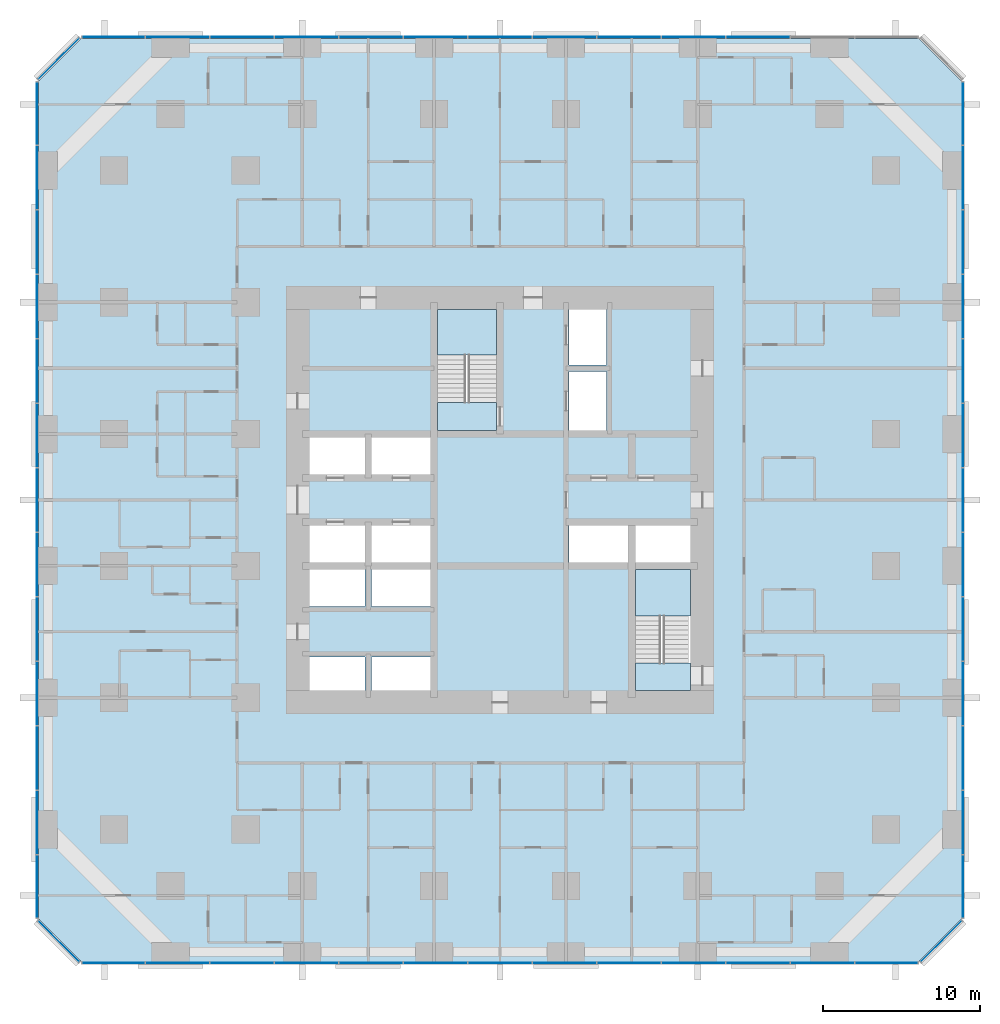
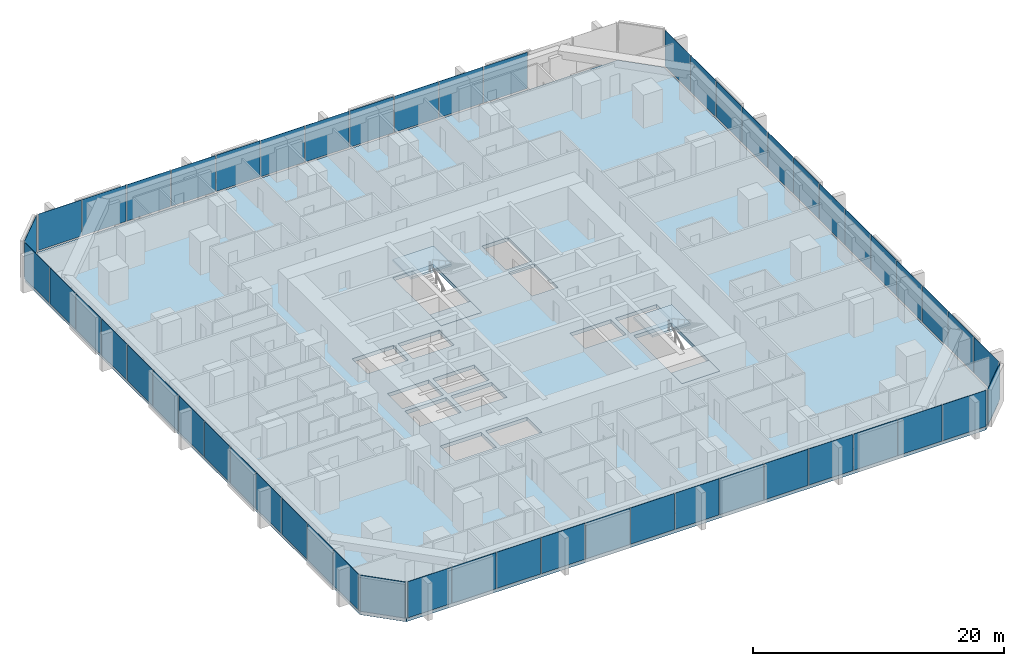
# One storey, part 9 of 17: 53 plates, 5 slabs, 9 elements without a shape of their own.
"""IFC4 building model written with IfcOpenShell, lengths in metres."""

from ifc_helpers import new_model, si_unit, direction, frame, origin, origin_2d, place, context, subcontext, project, spatial, polyline, rectangle, outline, extrude, material, layer, layer_set, type_object, element, aggregate, save


model = new_model("IFC4")

# Units and contexts
model_context = context("Model", 3, precision=1e-05, world=origin(), true_north=direction((0.0, 1.0)))
body_context = subcontext(model_context, "Body", "Model", "MODEL_VIEW")
ifc_project = project(units=[si_unit("LENGTHUNIT", "METRE"), si_unit("AREAUNIT", "SQUARE_METRE"), si_unit("VOLUMEUNIT", "CUBIC_METRE"), si_unit("PLANEANGLEUNIT", "RADIAN"), si_unit("MASSUNIT", "GRAM", prefix="KILO")], contexts=[model_context])

# Site, building, storey
site_placement = place(None, origin())
site = spatial("IfcSite", under=ifc_project, at=site_placement, CompositionType="ELEMENT")
building_placement = place(site_placement, origin())
building = spatial("IfcBuilding", under=site, at=building_placement, Name="Dunama Terrace Hotel", CompositionType="ELEMENT")
storey_placement = place(building_placement, frame((0.0, 0.0, 52.199951171875)))
storey = spatial("IfcBuildingStorey", under=building, at=storey_placement, Name="L12", CompositionType="ELEMENT", Elevation=52.199951171875)

# Curtain wall, plates
ifc_material_1 = material(Name="Aluminium curtain wall system", Category="aluminium")
curtain_wall_type = type_object("IfcCurtainWallType", Name="Unitised fritted glass wall CW-A", PredefinedType="NOTDEFINED", material=ifc_material_1)
curtain_wall_1_placement = place(storey_placement, origin())
curtain_wall_1 = element("IfcCurtainWall", 1, at=curtain_wall_1_placement, inside=storey, type_object=curtain_wall_type, Name="Unitised fritted glass wall CW-A L12", PredefinedType="NOTDEFINED")
ifc_material_2 = material(Name="Laminated glass", Category="glass")
ifc_layer_1 = layer(ifc_material_2, 0.030029296875)
ifc_layer_set_1 = layer_set([ifc_layer_1], Name="CWA clear glass panel")
plate_type_1 = type_object("IfcPlateType", Name="CWA clear glass panel", PredefinedType="CURTAIN_PANEL", material=ifc_layer_set_1)
plate_1_placement = place(storey_placement, frame((12.968994140625, -0.10009765625, 0.0751953125), z_axis=(0.0, 0.0, 1.0), x_axis=(1.0, 0.0, 0.0)))
plate_1 = element("IfcPlate", 2, at=plate_1_placement, type_object=plate_type_1, Name="CWA clear glass panel", PredefinedType="CURTAIN_PANEL", context=body_context, shape_type="SweptSolid", body=[
    extrude(rectangle(XDim=4.042724609375, YDim=0.030029296875, at=origin_2d()), origin(), (0.0, 0.0, 1.0), 3.52490234375),
])
plate_2_placement = place(storey_placement, frame((25.2919921875, -0.10009765625, 0.0751953125), z_axis=(0.0, 0.0, 1.0), x_axis=(1.0, 0.0, 0.0)))
plate_2 = element("IfcPlate", 3, at=plate_2_placement, type_object=plate_type_1, Name="CWA clear glass panel", PredefinedType="CURTAIN_PANEL", context=body_context, shape_type="SweptSolid", body=[
    extrude(rectangle(XDim=4.042724609375, YDim=0.030029296875, at=origin_2d()), origin(), (0.0, 0.0, 1.0), 3.52490234375),
])
plate_3_placement = place(storey_placement, frame((37.614990234375, -0.10009765625, 0.0751953125), z_axis=(0.0, 0.0, 1.0), x_axis=(1.0, 0.0, 0.0)))
plate_3 = element("IfcPlate", 4, at=plate_3_placement, type_object=plate_type_1, Name="CWA clear glass panel", PredefinedType="CURTAIN_PANEL", context=body_context, shape_type="SweptSolid", body=[
    extrude(rectangle(XDim=4.042724609375, YDim=0.030029296875, at=origin_2d()), origin(), (0.0, 0.0, 1.0), 3.52490234375),
])
plate_4_placement = place(storey_placement, frame((49.93798828125, -0.10009765625, 0.0751953125), z_axis=(0.0, 0.0, 1.0), x_axis=(1.0, 0.0, 0.0)))
plate_4 = element("IfcPlate", 5, at=plate_4_placement, type_object=plate_type_1, Name="CWA clear glass panel", PredefinedType="CURTAIN_PANEL", context=body_context, shape_type="SweptSolid", body=[
    extrude(rectangle(XDim=4.042724609375, YDim=0.030029296875, at=origin_2d()), origin(), (0.0, 0.0, 1.0), 3.52490234375),
])

curtain_wall_2_placement = place(storey_placement, origin())
curtain_wall_2 = element("IfcCurtainWall", 6, at=curtain_wall_2_placement, inside=storey, type_object=curtain_wall_type, Name="Unitised fritted glass wall CW-A L12", PredefinedType="NOTDEFINED")
plate_5_placement = place(storey_placement, frame((58.89990234375, 4.77001953125, 0.0751953125), z_axis=(0.0, 0.0, 1.0), x_axis=(0.0, 1.0, 0.0)))
plate_5 = element("IfcPlate", 7, at=plate_5_placement, type_object=plate_type_1, Name="CWA clear glass panel", PredefinedType="CURTAIN_PANEL", context=body_context, shape_type="SweptSolid", body=[
    extrude(rectangle(XDim=4.01025390625, YDim=0.030029296875, at=origin_2d()), origin(), (0.0, 0.0, 1.0), 3.52490234375),
])
plate_6_placement = place(storey_placement, frame((58.89990234375, 17.076904296875, 0.0751953125), z_axis=(0.0, 0.0, 1.0), x_axis=(0.0, 1.0, 0.0)))
plate_6 = element("IfcPlate", 8, at=plate_6_placement, type_object=plate_type_1, Name="CWA clear glass panel", PredefinedType="CURTAIN_PANEL", context=body_context, shape_type="SweptSolid", body=[
    extrude(rectangle(XDim=4.042724609375, YDim=0.030029296875, at=origin_2d()), origin(), (0.0, 0.0, 1.0), 3.52490234375),
])
plate_7_placement = place(storey_placement, frame((58.89990234375, 29.39990234375, 0.0751953125), z_axis=(0.0, 0.0, 1.0), x_axis=(0.0, 1.0, 0.0)))
plate_7 = element("IfcPlate", 9, at=plate_7_placement, type_object=plate_type_1, Name="CWA clear glass panel", PredefinedType="CURTAIN_PANEL", context=body_context, shape_type="SweptSolid", body=[
    extrude(rectangle(XDim=4.042724609375, YDim=0.030029296875, at=origin_2d()), origin(), (0.0, 0.0, 1.0), 3.52490234375),
])
plate_8_placement = place(storey_placement, frame((58.89990234375, 41.722900390625, 0.0751953125), z_axis=(0.0, 0.0, 1.0), x_axis=(0.0, 1.0, 0.0)))
plate_8 = element("IfcPlate", 10, at=plate_8_placement, type_object=plate_type_1, Name="CWA clear glass panel", PredefinedType="CURTAIN_PANEL", context=body_context, shape_type="SweptSolid", body=[
    extrude(rectangle(XDim=4.042724609375, YDim=0.030029296875, at=origin_2d()), origin(), (0.0, 0.0, 1.0), 3.52490234375),
])
plate_9_placement = place(storey_placement, frame((58.89990234375, 54.030029296875, 0.0751953125), z_axis=(0.0, 0.0, 1.0), x_axis=(0.0, 1.0, 0.0)))
plate_9 = element("IfcPlate", 11, at=plate_9_placement, type_object=plate_type_1, Name="CWA clear glass panel", PredefinedType="CURTAIN_PANEL", context=body_context, shape_type="SweptSolid", body=[
    extrude(rectangle(XDim=4.01025390625, YDim=0.030029296875, at=origin_2d()), origin(), (0.0, 0.0, 1.0), 3.52490234375),
])

curtain_wall_3_placement = place(storey_placement, origin())
curtain_wall_3 = element("IfcCurtainWall", 12, at=curtain_wall_3_placement, inside=storey, type_object=curtain_wall_type, Name="Unitised fritted glass wall CW-A L12", PredefinedType="NOTDEFINED")
plate_10_placement = place(storey_placement, frame((37.614990234375, 58.89990234375, 0.0751953125), z_axis=(0.0, 0.0, 1.0), x_axis=(-1.0, 0.0, 0.0)))
plate_10 = element("IfcPlate", 13, at=plate_10_placement, type_object=plate_type_1, Name="CWA clear glass panel", PredefinedType="CURTAIN_PANEL", context=body_context, shape_type="SweptSolid", body=[
    extrude(rectangle(XDim=4.042724609375, YDim=0.030029296875, at=origin_2d()), origin(), (0.0, 0.0, 1.0), 3.52490234375),
])
plate_11_placement = place(storey_placement, frame((25.2919921875, 58.89990234375, 0.0751953125), z_axis=(0.0, 0.0, 1.0), x_axis=(-1.0, 0.0, 0.0)))
plate_11 = element("IfcPlate", 14, at=plate_11_placement, type_object=plate_type_1, Name="CWA clear glass panel", PredefinedType="CURTAIN_PANEL", context=body_context, shape_type="SweptSolid", body=[
    extrude(rectangle(XDim=4.042724609375, YDim=0.030029296875, at=origin_2d()), origin(), (0.0, 0.0, 1.0), 3.52490234375),
])
plate_12_placement = place(storey_placement, frame((12.968994140625, 58.89990234375, 0.0751953125), z_axis=(0.0, 0.0, 1.0), x_axis=(-1.0, 0.0, 0.0)))
plate_12 = element("IfcPlate", 15, at=plate_12_placement, type_object=plate_type_1, Name="CWA clear glass panel", PredefinedType="CURTAIN_PANEL", context=body_context, shape_type="SweptSolid", body=[
    extrude(rectangle(XDim=4.042724609375, YDim=0.030029296875, at=origin_2d()), origin(), (0.0, 0.0, 1.0), 3.52490234375),
])

# Curtain wall, plate
curtain_wall_4_placement = place(storey_placement, origin())
curtain_wall_4 = element("IfcCurtainWall", 16, at=curtain_wall_4_placement, inside=storey, type_object=curtain_wall_type, Name="Unitised fritted glass wall CW-A L12", PredefinedType="NOTDEFINED")
plate_13_placement = place(storey_placement, frame((1.279052734375, 57.52099609375, 0.0751953125), z_axis=(0.0, 0.0, 1.0), x_axis=(-0.707106781187, -0.707106781187, 0.0)))
plate_13 = element("IfcPlate", 17, at=plate_13_placement, type_object=plate_type_1, Name="CWA clear glass panel", PredefinedType="CURTAIN_PANEL", context=body_context, shape_type="SweptSolid", body=[
    extrude(rectangle(XDim=3.6884765625, YDim=0.030029296875, at=origin_2d()), origin(), (0.0, 0.0, 1.0), 3.52490234375),
])
aggregate(curtain_wall_4, [plate_13])

# Curtain wall, plates
curtain_wall_5_placement = place(storey_placement, origin())
curtain_wall_5 = element("IfcCurtainWall", 18, at=curtain_wall_5_placement, inside=storey, type_object=curtain_wall_type, Name="Unitised fritted glass wall CW-A L12", PredefinedType="NOTDEFINED")
plate_14_placement = place(storey_placement, frame((-0.10009765625, 45.8310546875, 0.0751953125), z_axis=(0.0, 0.0, 1.0), x_axis=(0.0, -1.0, 0.0)))
plate_14 = element("IfcPlate", 19, at=plate_14_placement, type_object=plate_type_1, Name="CWA clear glass panel", PredefinedType="CURTAIN_PANEL", context=body_context, shape_type="SweptSolid", body=[
    extrude(rectangle(XDim=4.042724609375, YDim=0.030029296875, at=origin_2d()), origin(), (0.0, 0.0, 1.0), 3.52490234375),
])
plate_15_placement = place(storey_placement, frame((-0.10009765625, 33.508056640625, 0.0751953125), z_axis=(0.0, 0.0, 1.0), x_axis=(0.0, -1.0, 0.0)))
plate_15 = element("IfcPlate", 20, at=plate_15_placement, type_object=plate_type_1, Name="CWA clear glass panel", PredefinedType="CURTAIN_PANEL", context=body_context, shape_type="SweptSolid", body=[
    extrude(rectangle(XDim=4.042724609375, YDim=0.030029296875, at=origin_2d()), origin(), (0.0, 0.0, 1.0), 3.52490234375),
])
plate_16_placement = place(storey_placement, frame((-0.10009765625, 21.18505859375, 0.0751953125), z_axis=(0.0, 0.0, 1.0), x_axis=(0.0, -1.0, 0.0)))
plate_16 = element("IfcPlate", 21, at=plate_16_placement, type_object=plate_type_1, Name="CWA clear glass panel", PredefinedType="CURTAIN_PANEL", context=body_context, shape_type="SweptSolid", body=[
    extrude(rectangle(XDim=4.042724609375, YDim=0.030029296875, at=origin_2d()), origin(), (0.0, 0.0, 1.0), 3.52490234375),
])
plate_17_placement = place(storey_placement, frame((-0.10009765625, 8.862060546875, 0.0751953125), z_axis=(0.0, 0.0, 1.0), x_axis=(0.0, -1.0, 0.0)))
plate_17 = element("IfcPlate", 22, at=plate_17_placement, type_object=plate_type_1, Name="CWA clear glass panel", PredefinedType="CURTAIN_PANEL", context=body_context, shape_type="SweptSolid", body=[
    extrude(rectangle(XDim=4.042724609375, YDim=0.030029296875, at=origin_2d()), origin(), (0.0, 0.0, 1.0), 3.52490234375),
])

# Plate
ifc_material_3 = material(Name="Fritted laminated glass", Category="glass")
ifc_layer_2 = layer(ifc_material_3, 0.030029296875)
ifc_layer_set_2 = layer_set([ifc_layer_2], Name="CWA fritted glass panel")
plate_type_2 = type_object("IfcPlateType", Name="CWA fritted glass panel", PredefinedType="CURTAIN_PANEL", material=ifc_layer_set_2)
plate_18_placement = place(storey_placement, frame((8.862060546875, -0.10009765625, 0.0751953125), z_axis=(0.0, 0.0, 1.0), x_axis=(1.0, 0.0, 0.0)))
plate_18 = element("IfcPlate", 23, at=plate_18_placement, type_object=plate_type_2, Name="CWA fritted glass panel", PredefinedType="CURTAIN_PANEL", context=body_context, shape_type="SweptSolid", body=[
    extrude(rectangle(XDim=4.042724609375, YDim=0.030029296875, at=origin_2d()), origin(), (0.0, 0.0, 1.0), 3.52490234375),
])

plate_19_placement = place(storey_placement, frame((21.18505859375, -0.10009765625, 0.0751953125), z_axis=(0.0, 0.0, 1.0), x_axis=(1.0, 0.0, 0.0)))
plate_19 = element("IfcPlate", 24, at=plate_19_placement, type_object=plate_type_2, Name="CWA fritted glass panel", PredefinedType="CURTAIN_PANEL", context=body_context, shape_type="SweptSolid", body=[
    extrude(rectangle(XDim=4.042724609375, YDim=0.030029296875, at=origin_2d()), origin(), (0.0, 0.0, 1.0), 3.52490234375),
])

plate_20_placement = place(storey_placement, frame((33.508056640625, -0.10009765625, 0.0751953125), z_axis=(0.0, 0.0, 1.0), x_axis=(1.0, 0.0, 0.0)))
plate_20 = element("IfcPlate", 25, at=plate_20_placement, type_object=plate_type_2, Name="CWA fritted glass panel", PredefinedType="CURTAIN_PANEL", context=body_context, shape_type="SweptSolid", body=[
    extrude(rectangle(XDim=4.042724609375, YDim=0.030029296875, at=origin_2d()), origin(), (0.0, 0.0, 1.0), 3.52490234375),
])

plate_21_placement = place(storey_placement, frame((45.8310546875, -0.10009765625, 0.0751953125), z_axis=(0.0, 0.0, 1.0), x_axis=(1.0, 0.0, 0.0)))
plate_21 = element("IfcPlate", 26, at=plate_21_placement, type_object=plate_type_2, Name="CWA fritted glass panel", PredefinedType="CURTAIN_PANEL", context=body_context, shape_type="SweptSolid", body=[
    extrude(rectangle(XDim=4.042724609375, YDim=0.030029296875, at=origin_2d()), origin(), (0.0, 0.0, 1.0), 3.52490234375),
])

# Curtain wall, plate
curtain_wall_6_placement = place(storey_placement, origin())
curtain_wall_6 = element("IfcCurtainWall", 27, at=curtain_wall_6_placement, inside=storey, type_object=curtain_wall_type, Name="Unitised fritted glass wall CW-A L12", PredefinedType="NOTDEFINED")
plate_22_placement = place(storey_placement, frame((57.52099609375, 1.279052734375, 0.0751953125), z_axis=(0.0, 0.0, 1.0), x_axis=(0.707106781187, 0.707106781187, 0.0)))
plate_22 = element("IfcPlate", 28, at=plate_22_placement, type_object=plate_type_2, Name="CWA fritted glass panel", PredefinedType="CURTAIN_PANEL", context=body_context, shape_type="SweptSolid", body=[
    extrude(rectangle(XDim=3.6884765625, YDim=0.030029296875, at=origin_2d()), origin(), (0.0, 0.0, 1.0), 3.52490234375),
])
aggregate(curtain_wall_6, [plate_22])

# Plate
plate_23_placement = place(storey_placement, frame((58.89990234375, 12.968994140625, 0.0751953125), z_axis=(0.0, 0.0, 1.0), x_axis=(0.0, 1.0, 0.0)))
plate_23 = element("IfcPlate", 29, at=plate_23_placement, type_object=plate_type_2, Name="CWA fritted glass panel", PredefinedType="CURTAIN_PANEL", context=body_context, shape_type="SweptSolid", body=[
    extrude(rectangle(XDim=4.042724609375, YDim=0.030029296875, at=origin_2d()), origin(), (0.0, 0.0, 1.0), 3.52490234375),
])

plate_24_placement = place(storey_placement, frame((58.89990234375, 25.2919921875, 0.0751953125), z_axis=(0.0, 0.0, 1.0), x_axis=(0.0, 1.0, 0.0)))
plate_24 = element("IfcPlate", 30, at=plate_24_placement, type_object=plate_type_2, Name="CWA fritted glass panel", PredefinedType="CURTAIN_PANEL", context=body_context, shape_type="SweptSolid", body=[
    extrude(rectangle(XDim=4.042724609375, YDim=0.030029296875, at=origin_2d()), origin(), (0.0, 0.0, 1.0), 3.52490234375),
])

plate_25_placement = place(storey_placement, frame((58.89990234375, 37.614990234375, 0.0751953125), z_axis=(0.0, 0.0, 1.0), x_axis=(0.0, 1.0, 0.0)))
plate_25 = element("IfcPlate", 31, at=plate_25_placement, type_object=plate_type_2, Name="CWA fritted glass panel", PredefinedType="CURTAIN_PANEL", context=body_context, shape_type="SweptSolid", body=[
    extrude(rectangle(XDim=4.042724609375, YDim=0.030029296875, at=origin_2d()), origin(), (0.0, 0.0, 1.0), 3.52490234375),
])

plate_26_placement = place(storey_placement, frame((58.89990234375, 49.93798828125, 0.0751953125), z_axis=(0.0, 0.0, 1.0), x_axis=(0.0, 1.0, 0.0)))
plate_26 = element("IfcPlate", 32, at=plate_26_placement, type_object=plate_type_2, Name="CWA fritted glass panel", PredefinedType="CURTAIN_PANEL", context=body_context, shape_type="SweptSolid", body=[
    extrude(rectangle(XDim=4.042724609375, YDim=0.030029296875, at=origin_2d()), origin(), (0.0, 0.0, 1.0), 3.52490234375),
])

plate_27_placement = place(storey_placement, frame((41.722900390625, 58.89990234375, 0.0751953125), z_axis=(0.0, 0.0, 1.0), x_axis=(-1.0, 0.0, 0.0)))
plate_27 = element("IfcPlate", 33, at=plate_27_placement, type_object=plate_type_2, Name="CWA fritted glass panel", PredefinedType="CURTAIN_PANEL", context=body_context, shape_type="SweptSolid", body=[
    extrude(rectangle(XDim=4.042724609375, YDim=0.030029296875, at=origin_2d()), origin(), (0.0, 0.0, 1.0), 3.52490234375),
])

plate_28_placement = place(storey_placement, frame((29.39990234375, 58.89990234375, 0.0751953125), z_axis=(0.0, 0.0, 1.0), x_axis=(-1.0, 0.0, 0.0)))
plate_28 = element("IfcPlate", 34, at=plate_28_placement, type_object=plate_type_2, Name="CWA fritted glass panel", PredefinedType="CURTAIN_PANEL", context=body_context, shape_type="SweptSolid", body=[
    extrude(rectangle(XDim=4.042724609375, YDim=0.030029296875, at=origin_2d()), origin(), (0.0, 0.0, 1.0), 3.52490234375),
])

plate_29_placement = place(storey_placement, frame((17.076904296875, 58.89990234375, 0.0751953125), z_axis=(0.0, 0.0, 1.0), x_axis=(-1.0, 0.0, 0.0)))
plate_29 = element("IfcPlate", 35, at=plate_29_placement, type_object=plate_type_2, Name="CWA fritted glass panel", PredefinedType="CURTAIN_PANEL", context=body_context, shape_type="SweptSolid", body=[
    extrude(rectangle(XDim=4.042724609375, YDim=0.030029296875, at=origin_2d()), origin(), (0.0, 0.0, 1.0), 3.52490234375),
])

plate_30_placement = place(storey_placement, frame((4.77001953125, 58.89990234375, 0.0751953125), z_axis=(0.0, 0.0, 1.0), x_axis=(-1.0, 0.0, 0.0)))
plate_30 = element("IfcPlate", 36, at=plate_30_placement, type_object=plate_type_2, Name="CWA fritted glass panel", PredefinedType="CURTAIN_PANEL", context=body_context, shape_type="SweptSolid", body=[
    extrude(rectangle(XDim=4.01025390625, YDim=0.030029296875, at=origin_2d()), origin(), (0.0, 0.0, 1.0), 3.52490234375),
])

plate_31_placement = place(storey_placement, frame((-0.10009765625, 49.93798828125, 0.0751953125), z_axis=(0.0, 0.0, 1.0), x_axis=(0.0, -1.0, 0.0)))
plate_31 = element("IfcPlate", 37, at=plate_31_placement, type_object=plate_type_2, Name="CWA fritted glass panel", PredefinedType="CURTAIN_PANEL", context=body_context, shape_type="SweptSolid", body=[
    extrude(rectangle(XDim=4.042724609375, YDim=0.030029296875, at=origin_2d()), origin(), (0.0, 0.0, 1.0), 3.52490234375),
])

plate_32_placement = place(storey_placement, frame((-0.10009765625, 37.614990234375, 0.0751953125), z_axis=(0.0, 0.0, 1.0), x_axis=(0.0, -1.0, 0.0)))
plate_32 = element("IfcPlate", 38, at=plate_32_placement, type_object=plate_type_2, Name="CWA fritted glass panel", PredefinedType="CURTAIN_PANEL", context=body_context, shape_type="SweptSolid", body=[
    extrude(rectangle(XDim=4.042724609375, YDim=0.030029296875, at=origin_2d()), origin(), (0.0, 0.0, 1.0), 3.52490234375),
])

plate_33_placement = place(storey_placement, frame((-0.10009765625, 25.2919921875, 0.0751953125), z_axis=(0.0, 0.0, 1.0), x_axis=(0.0, -1.0, 0.0)))
plate_33 = element("IfcPlate", 39, at=plate_33_placement, type_object=plate_type_2, Name="CWA fritted glass panel", PredefinedType="CURTAIN_PANEL", context=body_context, shape_type="SweptSolid", body=[
    extrude(rectangle(XDim=4.042724609375, YDim=0.030029296875, at=origin_2d()), origin(), (0.0, 0.0, 1.0), 3.52490234375),
])

plate_34_placement = place(storey_placement, frame((-0.10009765625, 12.968994140625, 0.0751953125), z_axis=(0.0, 0.0, 1.0), x_axis=(0.0, -1.0, 0.0)))
plate_34 = element("IfcPlate", 40, at=plate_34_placement, type_object=plate_type_2, Name="CWA fritted glass panel", PredefinedType="CURTAIN_PANEL", context=body_context, shape_type="SweptSolid", body=[
    extrude(rectangle(XDim=4.042724609375, YDim=0.030029296875, at=origin_2d()), origin(), (0.0, 0.0, 1.0), 3.52490234375),
])

# Curtain wall, plate
curtain_wall_7_placement = place(storey_placement, origin())
curtain_wall_7 = element("IfcCurtainWall", 41, at=curtain_wall_7_placement, inside=storey, type_object=curtain_wall_type, Name="Unitised fritted glass wall CW-A L12", PredefinedType="NOTDEFINED")
plate_35_placement = place(storey_placement, frame((1.279052734375, 1.279052734375, 0.0751953125), z_axis=(0.0, 0.0, 1.0), x_axis=(0.707106781187, -0.707106781187, 0.0)))
plate_35 = element("IfcPlate", 42, at=plate_35_placement, type_object=plate_type_2, Name="CWA fritted glass panel", PredefinedType="CURTAIN_PANEL", context=body_context, shape_type="SweptSolid", body=[
    extrude(rectangle(XDim=3.6884765625, YDim=0.030029296875, at=origin_2d()), origin(), (0.0, 0.0, 1.0), 3.52490234375),
])
aggregate(curtain_wall_7, [plate_35])

# Plate
ifc_material_4 = material(Name="Laminated glass", Category="glass")
ifc_layer_3 = layer(ifc_material_4, 0.030029296875)
ifc_layer_set_3 = layer_set([ifc_layer_3], Name="CWA operable glass panel")
plate_type_3 = type_object("IfcPlateType", Name="CWA operable glass panel", PredefinedType="CURTAIN_PANEL", material=ifc_layer_set_3)
plate_36_placement = place(storey_placement, frame((4.77001953125, -0.10009765625, 0.0751953125), z_axis=(0.0, 0.0, 1.0), x_axis=(1.0, 0.0, 0.0)))
plate_36 = element("IfcPlate", 43, at=plate_36_placement, type_object=plate_type_3, Name="CWA operable glass panel", PredefinedType="CURTAIN_PANEL", context=body_context, shape_type="SweptSolid", body=[
    extrude(rectangle(XDim=4.01025390625, YDim=0.030029296875, at=origin_2d()), origin(), (0.0, 0.0, 1.0), 3.52490234375),
])

plate_37_placement = place(storey_placement, frame((17.076904296875, -0.10009765625, 0.0751953125), z_axis=(0.0, 0.0, 1.0), x_axis=(1.0, 0.0, 0.0)))
plate_37 = element("IfcPlate", 44, at=plate_37_placement, type_object=plate_type_3, Name="CWA operable glass panel", PredefinedType="CURTAIN_PANEL", context=body_context, shape_type="SweptSolid", body=[
    extrude(rectangle(XDim=4.042724609375, YDim=0.030029296875, at=origin_2d()), origin(), (0.0, 0.0, 1.0), 3.52490234375),
])

plate_38_placement = place(storey_placement, frame((29.39990234375, -0.10009765625, 0.0751953125), z_axis=(0.0, 0.0, 1.0), x_axis=(1.0, 0.0, 0.0)))
plate_38 = element("IfcPlate", 45, at=plate_38_placement, type_object=plate_type_3, Name="CWA operable glass panel", PredefinedType="CURTAIN_PANEL", context=body_context, shape_type="SweptSolid", body=[
    extrude(rectangle(XDim=4.042724609375, YDim=0.030029296875, at=origin_2d()), origin(), (0.0, 0.0, 1.0), 3.52490234375),
])

plate_39_placement = place(storey_placement, frame((41.722900390625, -0.10009765625, 0.0751953125), z_axis=(0.0, 0.0, 1.0), x_axis=(1.0, 0.0, 0.0)))
plate_39 = element("IfcPlate", 46, at=plate_39_placement, type_object=plate_type_3, Name="CWA operable glass panel", PredefinedType="CURTAIN_PANEL", context=body_context, shape_type="SweptSolid", body=[
    extrude(rectangle(XDim=4.042724609375, YDim=0.030029296875, at=origin_2d()), origin(), (0.0, 0.0, 1.0), 3.52490234375),
])

plate_40_placement = place(storey_placement, frame((54.030029296875, -0.10009765625, 0.0751953125), z_axis=(0.0, 0.0, 1.0), x_axis=(1.0, 0.0, 0.0)))
plate_40 = element("IfcPlate", 47, at=plate_40_placement, type_object=plate_type_3, Name="CWA operable glass panel", PredefinedType="CURTAIN_PANEL", context=body_context, shape_type="SweptSolid", body=[
    extrude(rectangle(XDim=4.01025390625, YDim=0.030029296875, at=origin_2d()), origin(), (0.0, 0.0, 1.0), 3.52490234375),
])

aggregate(curtain_wall_1, [plate_36, plate_18, plate_1, plate_37, plate_19, plate_2, plate_38, plate_20, plate_3, plate_39, plate_21, plate_4, plate_40])

plate_41_placement = place(storey_placement, frame((58.89990234375, 8.862060546875, 0.0751953125), z_axis=(0.0, 0.0, 1.0), x_axis=(0.0, 1.0, 0.0)))
plate_41 = element("IfcPlate", 48, at=plate_41_placement, type_object=plate_type_3, Name="CWA operable glass panel", PredefinedType="CURTAIN_PANEL", context=body_context, shape_type="SweptSolid", body=[
    extrude(rectangle(XDim=4.042724609375, YDim=0.030029296875, at=origin_2d()), origin(), (0.0, 0.0, 1.0), 3.52490234375),
])

plate_42_placement = place(storey_placement, frame((58.89990234375, 21.18505859375, 0.0751953125), z_axis=(0.0, 0.0, 1.0), x_axis=(0.0, 1.0, 0.0)))
plate_42 = element("IfcPlate", 49, at=plate_42_placement, type_object=plate_type_3, Name="CWA operable glass panel", PredefinedType="CURTAIN_PANEL", context=body_context, shape_type="SweptSolid", body=[
    extrude(rectangle(XDim=4.042724609375, YDim=0.030029296875, at=origin_2d()), origin(), (0.0, 0.0, 1.0), 3.52490234375),
])

plate_43_placement = place(storey_placement, frame((58.89990234375, 33.508056640625, 0.0751953125), z_axis=(0.0, 0.0, 1.0), x_axis=(0.0, 1.0, 0.0)))
plate_43 = element("IfcPlate", 50, at=plate_43_placement, type_object=plate_type_3, Name="CWA operable glass panel", PredefinedType="CURTAIN_PANEL", context=body_context, shape_type="SweptSolid", body=[
    extrude(rectangle(XDim=4.042724609375, YDim=0.030029296875, at=origin_2d()), origin(), (0.0, 0.0, 1.0), 3.52490234375),
])

plate_44_placement = place(storey_placement, frame((58.89990234375, 45.8310546875, 0.0751953125), z_axis=(0.0, 0.0, 1.0), x_axis=(0.0, 1.0, 0.0)))
plate_44 = element("IfcPlate", 51, at=plate_44_placement, type_object=plate_type_3, Name="CWA operable glass panel", PredefinedType="CURTAIN_PANEL", context=body_context, shape_type="SweptSolid", body=[
    extrude(rectangle(XDim=4.042724609375, YDim=0.030029296875, at=origin_2d()), origin(), (0.0, 0.0, 1.0), 3.52490234375),
])

aggregate(curtain_wall_2, [plate_5, plate_41, plate_23, plate_6, plate_42, plate_24, plate_7, plate_43, plate_25, plate_8, plate_44, plate_26, plate_9])

plate_45_placement = place(storey_placement, frame((45.8310546875, 58.89990234375, 0.0751953125), z_axis=(0.0, 0.0, 1.0), x_axis=(-1.0, 0.0, 0.0)))
plate_45 = element("IfcPlate", 52, at=plate_45_placement, type_object=plate_type_3, Name="CWA operable glass panel", PredefinedType="CURTAIN_PANEL", context=body_context, shape_type="SweptSolid", body=[
    extrude(rectangle(XDim=4.042724609375, YDim=0.030029296875, at=origin_2d()), origin(), (0.0, 0.0, 1.0), 3.52490234375),
])

plate_46_placement = place(storey_placement, frame((33.508056640625, 58.89990234375, 0.0751953125), z_axis=(0.0, 0.0, 1.0), x_axis=(-1.0, 0.0, 0.0)))
plate_46 = element("IfcPlate", 53, at=plate_46_placement, type_object=plate_type_3, Name="CWA operable glass panel", PredefinedType="CURTAIN_PANEL", context=body_context, shape_type="SweptSolid", body=[
    extrude(rectangle(XDim=4.042724609375, YDim=0.030029296875, at=origin_2d()), origin(), (0.0, 0.0, 1.0), 3.52490234375),
])

plate_47_placement = place(storey_placement, frame((21.18505859375, 58.89990234375, 0.0751953125), z_axis=(0.0, 0.0, 1.0), x_axis=(-1.0, 0.0, 0.0)))
plate_47 = element("IfcPlate", 54, at=plate_47_placement, type_object=plate_type_3, Name="CWA operable glass panel", PredefinedType="CURTAIN_PANEL", context=body_context, shape_type="SweptSolid", body=[
    extrude(rectangle(XDim=4.042724609375, YDim=0.030029296875, at=origin_2d()), origin(), (0.0, 0.0, 1.0), 3.52490234375),
])

plate_48_placement = place(storey_placement, frame((8.862060546875, 58.89990234375, 0.0751953125), z_axis=(0.0, 0.0, 1.0), x_axis=(-1.0, 0.0, 0.0)))
plate_48 = element("IfcPlate", 55, at=plate_48_placement, type_object=plate_type_3, Name="CWA operable glass panel", PredefinedType="CURTAIN_PANEL", context=body_context, shape_type="SweptSolid", body=[
    extrude(rectangle(XDim=4.042724609375, YDim=0.030029296875, at=origin_2d()), origin(), (0.0, 0.0, 1.0), 3.52490234375),
])

aggregate(curtain_wall_3, [plate_45, plate_27, plate_10, plate_46, plate_28, plate_11, plate_47, plate_29, plate_12, plate_48, plate_30])

plate_49_placement = place(storey_placement, frame((-0.10009765625, 54.030029296875, 0.0751953125), z_axis=(0.0, 0.0, 1.0), x_axis=(0.0, -1.0, 0.0)))
plate_49 = element("IfcPlate", 56, at=plate_49_placement, type_object=plate_type_3, Name="CWA operable glass panel", PredefinedType="CURTAIN_PANEL", context=body_context, shape_type="SweptSolid", body=[
    extrude(rectangle(XDim=4.01025390625, YDim=0.030029296875, at=origin_2d()), origin(), (0.0, 0.0, 1.0), 3.52490234375),
])

plate_50_placement = place(storey_placement, frame((-0.10009765625, 41.722900390625, 0.0751953125), z_axis=(0.0, 0.0, 1.0), x_axis=(0.0, -1.0, 0.0)))
plate_50 = element("IfcPlate", 57, at=plate_50_placement, type_object=plate_type_3, Name="CWA operable glass panel", PredefinedType="CURTAIN_PANEL", context=body_context, shape_type="SweptSolid", body=[
    extrude(rectangle(XDim=4.042724609375, YDim=0.030029296875, at=origin_2d()), origin(), (0.0, 0.0, 1.0), 3.52490234375),
])

plate_51_placement = place(storey_placement, frame((-0.10009765625, 29.39990234375, 0.0751953125), z_axis=(0.0, 0.0, 1.0), x_axis=(0.0, -1.0, 0.0)))
plate_51 = element("IfcPlate", 58, at=plate_51_placement, type_object=plate_type_3, Name="CWA operable glass panel", PredefinedType="CURTAIN_PANEL", context=body_context, shape_type="SweptSolid", body=[
    extrude(rectangle(XDim=4.042724609375, YDim=0.030029296875, at=origin_2d()), origin(), (0.0, 0.0, 1.0), 3.52490234375),
])

plate_52_placement = place(storey_placement, frame((-0.10009765625, 17.076904296875, 0.0751953125), z_axis=(0.0, 0.0, 1.0), x_axis=(0.0, -1.0, 0.0)))
plate_52 = element("IfcPlate", 59, at=plate_52_placement, type_object=plate_type_3, Name="CWA operable glass panel", PredefinedType="CURTAIN_PANEL", context=body_context, shape_type="SweptSolid", body=[
    extrude(rectangle(XDim=4.042724609375, YDim=0.030029296875, at=origin_2d()), origin(), (0.0, 0.0, 1.0), 3.52490234375),
])

plate_53_placement = place(storey_placement, frame((-0.10009765625, 4.77001953125, 0.0751953125), z_axis=(0.0, 0.0, 1.0), x_axis=(0.0, -1.0, 0.0)))
plate_53 = element("IfcPlate", 60, at=plate_53_placement, type_object=plate_type_3, Name="CWA operable glass panel", PredefinedType="CURTAIN_PANEL", context=body_context, shape_type="SweptSolid", body=[
    extrude(rectangle(XDim=4.01025390625, YDim=0.030029296875, at=origin_2d()), origin(), (0.0, 0.0, 1.0), 3.52490234375),
])

aggregate(curtain_wall_5, [plate_49, plate_31, plate_14, plate_50, plate_32, plate_15, plate_51, plate_33, plate_16, plate_52, plate_34, plate_17, plate_53])

# Slab
ifc_material_5 = material(Name="Concrete C40/50", Category="concrete")
ifc_layer_4 = layer(ifc_material_5, 0.35009765625)
ifc_layer_set_4 = layer_set([ifc_layer_4], Name="Flat plate 350")
slab_type_1 = type_object("IfcSlabType", Name="Flat plate 350", PredefinedType="FLOOR", material=ifc_layer_set_4)
slab_1_placement = place(storey_placement, frame((0.0, 0.0, -0.349853515625)))
element("IfcSlab", 61, at=slab_1_placement, inside=storey, type_object=slab_type_1, Name="Floor slab L12", PredefinedType="FLOOR", context=body_context, shape_type="SweptSolid", body=[
    extrude(outline(polyline([(2.699951171875, 0.0), (56.10009765625, 0.0), (58.800048828125, 2.699951171875), (58.800048828125, 56.10009765625), (56.10009765625, 58.800048828125), (2.699951171875, 58.800048828125), (0.0, 56.10009765625), (0.0, 2.699951171875), (2.699951171875, 0.0)]), holes=[polyline([(20.800048828125, 25.39990234375), (20.800048828125, 27.800048828125), (17.0, 27.800048828125), (17.0, 25.39990234375), (20.800048828125, 25.39990234375)]), polyline([(25.0, 25.39990234375), (25.0, 27.800048828125), (21.199951171875, 27.800048828125), (21.199951171875, 25.39990234375), (25.0, 25.39990234375)]), polyline([(20.800048828125, 31.0), (20.800048828125, 33.39990234375), (17.0, 33.39990234375), (17.0, 31.0), (20.800048828125, 31.0)]), polyline([(25.0, 31.0), (25.0, 33.39990234375), (21.199951171875, 33.39990234375), (21.199951171875, 31.0), (25.0, 31.0)]), polyline([(37.60009765625, 25.39990234375), (37.60009765625, 27.800048828125), (33.800048828125, 27.800048828125), (33.800048828125, 25.39990234375), (37.60009765625, 25.39990234375)]), polyline([(41.800048828125, 25.39990234375), (41.800048828125, 27.800048828125), (38.0, 27.800048828125), (38.0, 25.39990234375), (41.800048828125, 25.39990234375)]), polyline([(20.800048828125, 17.0), (20.800048828125, 19.39990234375), (17.0, 19.39990234375), (17.0, 17.0), (20.800048828125, 17.0)]), polyline([(25.0, 17.0), (25.0, 19.39990234375), (21.199951171875, 19.39990234375), (21.199951171875, 17.0), (25.0, 17.0)]), polyline([(20.800048828125, 22.60009765625), (20.800048828125, 25.0), (17.0, 25.0), (17.0, 22.60009765625), (20.800048828125, 22.60009765625)]), polyline([(25.0, 22.60009765625), (25.0, 25.0), (21.199951171875, 25.0), (21.199951171875, 22.60009765625), (25.0, 22.60009765625)]), polyline([(36.199951171875, 38.0), (36.199951171875, 41.800048828125), (33.800048828125, 41.800048828125), (33.800048828125, 38.0), (36.199951171875, 38.0)]), polyline([(36.199951171875, 33.800048828125), (36.199951171875, 37.60009765625), (33.800048828125, 37.60009765625), (33.800048828125, 33.800048828125), (36.199951171875, 33.800048828125)]), polyline([(29.175048828125, 33.824951171875), (29.175048828125, 41.550048828125), (25.425048828125, 41.550048828125), (25.425048828125, 33.824951171875), (29.175048828125, 33.824951171875)]), polyline([(41.550048828125, 17.25), (41.550048828125, 24.97509765625), (38.050048828125, 24.97509765625), (38.050048828125, 17.25), (41.550048828125, 17.25)])]), origin(), (0.0, 0.0, 1.0), 0.349853515625),
])

# Stair, slabs
ifc_material_6 = material(Name="Concrete C40/50", Category="concrete")
stair_type_1 = type_object("IfcStairType", Name="Stair ST1-3600-1800", PredefinedType="HALF_TURN_STAIR", material=ifc_material_6)
stair_1_placement = place(storey_placement, origin())
stair_1 = element("IfcStair", 62, at=stair_1_placement, inside=storey, type_object=stair_type_1, Name="Stair ST1 L12", PredefinedType="HALF_TURN_STAIR")
ifc_material_7 = material(Name="Concrete C40/50", Category="concrete")
ifc_layer_5 = layer(ifc_material_7, 0.199951171875)
ifc_layer_set_5 = layer_set([ifc_layer_5], Name="Stair landing 200")
slab_type_2 = type_object("IfcSlabType", Name="Stair landing 200", PredefinedType="LANDING", material=ifc_layer_set_5)
slab_2_placement = place(storey_placement, frame((0.0, 0.0, -0.199951171875)))
slab_2 = element("IfcSlab", 63, at=slab_2_placement, type_object=slab_type_2, Name="ST1 landing 1, type S10", PredefinedType="LANDING", context=body_context, shape_type="SweptSolid", body=[
    extrude(outline(polyline([(25.425048828125, 33.824951171875), (29.175048828125, 33.824951171875), (29.175048828125, 35.625), (25.425048828125, 35.625), (25.425048828125, 33.824951171875)])), origin(), (0.0, 0.0, 1.0), 0.199951171875),
])
slab_3_placement = place(storey_placement, frame((0.0, 0.0, 1.60009765625)))
slab_3 = element("IfcSlab", 64, at=slab_3_placement, type_object=slab_type_2, Name="ST1 landing 2, type S10", PredefinedType="LANDING", context=body_context, shape_type="SweptSolid", body=[
    extrude(outline(polyline([(25.425048828125, 38.625), (29.175048828125, 38.625), (29.175048828125, 41.550048828125), (25.425048828125, 41.550048828125), (25.425048828125, 38.625)])), origin(), (0.0, 0.0, 1.0), 0.199951171875),
])
aggregate(stair_1, [slab_2, slab_3])

ifc_material_8 = material(Name="Concrete C40/50", Category="concrete")
stair_type_2 = type_object("IfcStairType", Name="Stair ST2-3600-1600", PredefinedType="HALF_TURN_STAIR", material=ifc_material_8)
stair_2_placement = place(storey_placement, origin())
stair_2 = element("IfcStair", 65, at=stair_2_placement, inside=storey, type_object=stair_type_2, Name="Stair ST2 L12", PredefinedType="HALF_TURN_STAIR")
slab_4_placement = place(storey_placement, frame((0.0, 0.0, -0.199951171875)))
slab_4 = element("IfcSlab", 66, at=slab_4_placement, type_object=slab_type_2, Name="ST2 landing 1, type S10", PredefinedType="LANDING", context=body_context, shape_type="SweptSolid", body=[
    extrude(outline(polyline([(38.050048828125, 17.25), (41.550048828125, 17.25), (41.550048828125, 19.0), (38.050048828125, 19.0), (38.050048828125, 17.25)])), origin(), (0.0, 0.0, 1.0), 0.199951171875),
])
slab_5_placement = place(storey_placement, frame((0.0, 0.0, 1.60009765625)))
slab_5 = element("IfcSlab", 67, at=slab_5_placement, type_object=slab_type_2, Name="ST2 landing 2, type S10", PredefinedType="LANDING", context=body_context, shape_type="SweptSolid", body=[
    extrude(outline(polyline([(38.050048828125, 22.0), (41.550048828125, 22.0), (41.550048828125, 24.97509765625), (38.050048828125, 24.97509765625), (38.050048828125, 22.0)])), origin(), (0.0, 0.0, 1.0), 0.199951171875),
])
aggregate(stair_2, [slab_4, slab_5])

save(model, "model.ifc")
